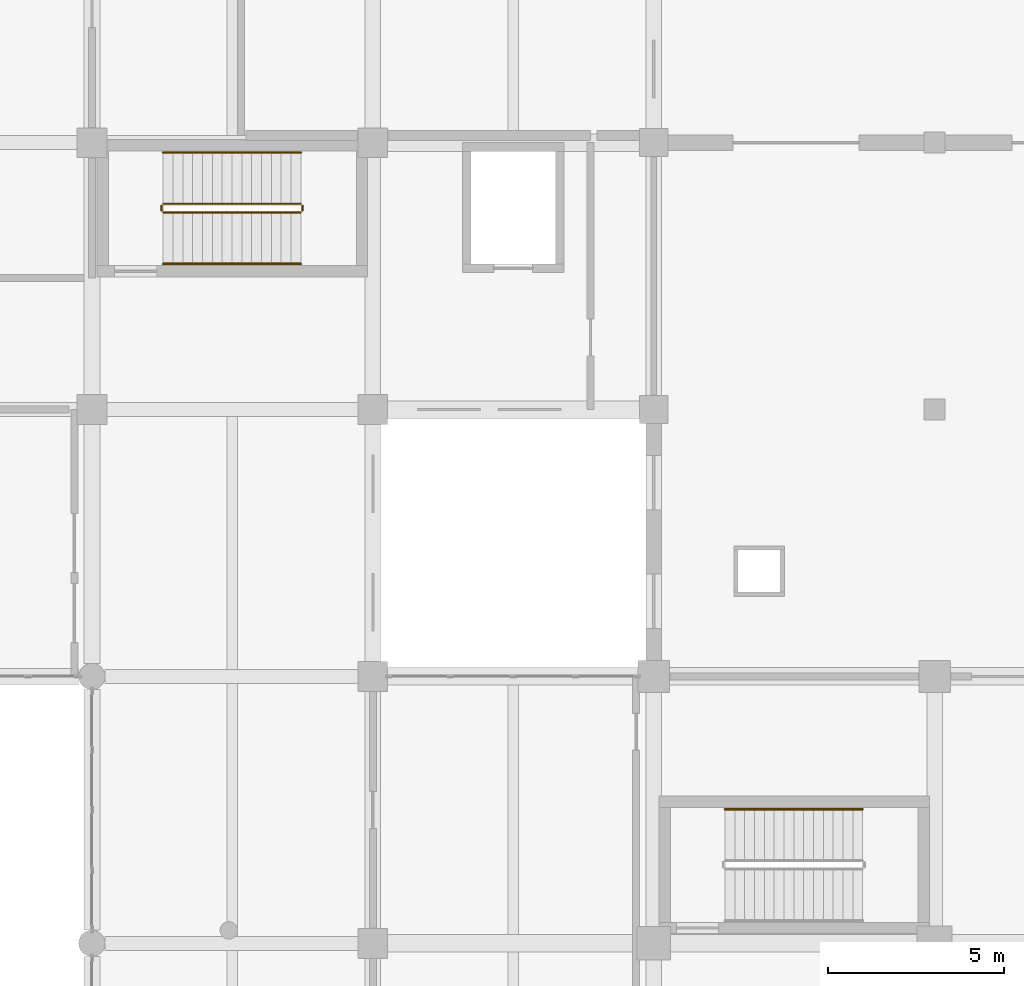
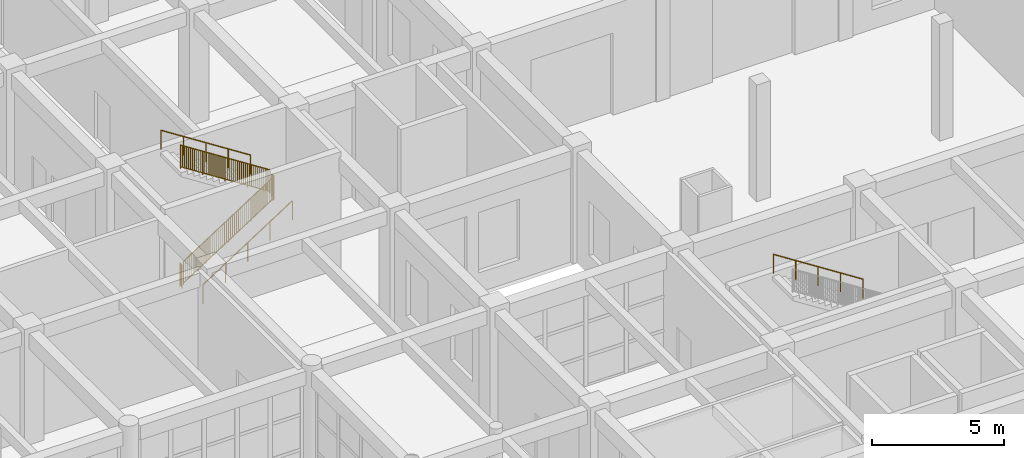
# One storey, part 94 of 95: 7 railings.
"""IFC4 building model written with IfcOpenShell, lengths in metres."""

from ifc_helpers import new_model, si_unit, direction, frame, origin, origin_2d, place, context, subcontext, project, spatial, rectangle, circle, extrude, material, type_object, element, save


model = new_model("IFC4")

# Units and contexts
model_context = context("Model", 3, precision=1e-05, world=origin(), true_north=direction((0.0, 1.0)))
body_context = subcontext(model_context, "Body", "Model", "MODEL_VIEW")
ifc_project = project(units=[si_unit("LENGTHUNIT", "METRE"), si_unit("AREAUNIT", "SQUARE_METRE"), si_unit("VOLUMEUNIT", "CUBIC_METRE"), si_unit("PLANEANGLEUNIT", "RADIAN"), si_unit("MASSUNIT", "GRAM", prefix="KILO")], contexts=[model_context])

# Site, building, storey
site_placement = place(None, origin())
site = spatial("IfcSite", under=ifc_project, at=site_placement, CompositionType="ELEMENT")
building_placement = place(site_placement, origin())
building = spatial("IfcBuilding", under=site, at=building_placement, Name="Zantavel Square City Hall", CompositionType="ELEMENT")
storey_placement = place(building_placement, origin())
storey = spatial("IfcBuildingStorey", under=building, at=storey_placement, Name="L01", CompositionType="ELEMENT", Elevation=0.0)

# Railings
ifc_material_1 = material(Name="Steel ASTM A500 Grade B", Category="steel")
railing_type_1 = type_object("IfcRailingType", Name="Atrium & Gallery Steel Guard Railing 1100mm", PredefinedType="GUARDRAIL", material=ifc_material_1)
railing_1_placement = place(storey_placement, frame((50.030029296875, 81.610107421875, 0.179931640625)))
element("IfcRailing", 1, at=railing_1_placement, inside=storey, type_object=railing_type_1, Name="L01 ST1 stair guard 1", PredefinedType="GUARDRAIL", context=body_context, shape_type="SweptSolid", body=[
    extrude(circle(Radius=0.02392578125, at=origin_2d()), frame((0.0, 0.0, 1.076171875), z_axis=(0.841171666519, 0.0, 0.540768182723), x_axis=(0.0, 1.0, 0.0)), (0.0, 0.0, 1.0), 4.66015625),
    extrude(rectangle(XDim=0.031982421875, YDim=0.031982421875, at=origin_2d()), frame((0.0, 0.0, 0.080078125), z_axis=(0.841171666519, 0.0, 0.540768182723), x_axis=(0.0, 1.0, 0.0)), (0.0, 0.0, 1.0), 4.66015625),
    extrude(rectangle(XDim=0.02197265625, YDim=0.02197265625, at=origin_2d()), frame((0.089111328125, 0.0, 0.13720703125)), (0.0, 0.0, 1.0), 0.971923828125),
    extrude(rectangle(XDim=0.02197265625, YDim=0.02197265625, at=origin_2d()), frame((0.17822265625, 0.0, 0.194580078125)), (0.0, 0.0, 1.0), 0.971923828125),
    extrude(rectangle(XDim=0.02197265625, YDim=0.02197265625, at=origin_2d()), frame((0.267333984375, 0.0, 0.251708984375)), (0.0, 0.0, 1.0), 0.971923828125),
    extrude(rectangle(XDim=0.02197265625, YDim=0.02197265625, at=origin_2d()), frame((0.3564453125, 0.0, 0.30908203125)), (0.0, 0.0, 1.0), 0.971923828125),
    extrude(rectangle(XDim=0.02197265625, YDim=0.02197265625, at=origin_2d()), frame((0.445556640625, 0.0, 0.366455078125)), (0.0, 0.0, 1.0), 0.971923828125),
    extrude(rectangle(XDim=0.02197265625, YDim=0.02197265625, at=origin_2d()), frame((0.534423828125, 0.0, 0.423583984375)), (0.0, 0.0, 1.0), 0.971923828125),
    extrude(rectangle(XDim=0.02197265625, YDim=0.02197265625, at=origin_2d()), frame((0.62353515625, 0.0, 0.48095703125)), (0.0, 0.0, 1.0), 0.971923828125),
    extrude(rectangle(XDim=0.02197265625, YDim=0.02197265625, at=origin_2d()), frame((0.712646484375, 0.0, 0.5380859375)), (0.0, 0.0, 1.0), 0.971923828125),
    extrude(rectangle(XDim=0.02197265625, YDim=0.02197265625, at=origin_2d()), frame((0.8017578125, 0.0, 0.595458984375)), (0.0, 0.0, 1.0), 0.971923828125),
    extrude(rectangle(XDim=0.02197265625, YDim=0.02197265625, at=origin_2d()), frame((0.890869140625, 0.0, 0.65283203125)), (0.0, 0.0, 1.0), 0.971923828125),
    extrude(rectangle(XDim=0.02197265625, YDim=0.02197265625, at=origin_2d()), frame((1.069091796875, 0.0, 0.767333984375)), (0.0, 0.0, 1.0), 0.971923828125),
    extrude(rectangle(XDim=0.02197265625, YDim=0.02197265625, at=origin_2d()), frame((1.158203125, 0.0, 0.824462890625)), (0.0, 0.0, 1.0), 0.971923828125),
    extrude(rectangle(XDim=0.02197265625, YDim=0.02197265625, at=origin_2d()), frame((1.247314453125, 0.0, 0.8818359375)), (0.0, 0.0, 1.0), 0.971923828125),
    extrude(rectangle(XDim=0.02197265625, YDim=0.02197265625, at=origin_2d()), frame((1.33642578125, 0.0, 0.939208984375)), (0.0, 0.0, 1.0), 0.971923828125),
    extrude(rectangle(XDim=0.02197265625, YDim=0.02197265625, at=origin_2d()), frame((1.425537109375, 0.0, 0.996337890625)), (0.0, 0.0, 1.0), 0.971923828125),
    extrude(rectangle(XDim=0.02197265625, YDim=0.02197265625, at=origin_2d()), frame((1.514404296875, 0.0, 1.0537109375)), (0.0, 0.0, 1.0), 0.971923828125),
    extrude(rectangle(XDim=0.02197265625, YDim=0.02197265625, at=origin_2d()), frame((1.603515625, 0.0, 1.11083984375)), (0.0, 0.0, 1.0), 0.971923828125),
    extrude(rectangle(XDim=0.02197265625, YDim=0.02197265625, at=origin_2d()), frame((1.692626953125, 0.0, 1.168212890625)), (0.0, 0.0, 1.0), 0.971923828125),
    extrude(rectangle(XDim=0.02197265625, YDim=0.02197265625, at=origin_2d()), frame((1.78173828125, 0.0, 1.225341796875)), (0.0, 0.0, 1.0), 0.971923828125),
    extrude(rectangle(XDim=0.02197265625, YDim=0.02197265625, at=origin_2d()), frame((1.870849609375, 0.0, 1.28271484375)), (0.0, 0.0, 1.0), 0.971923828125),
    extrude(rectangle(XDim=0.02197265625, YDim=0.02197265625, at=origin_2d()), frame((2.049072265625, 0.0, 1.397216796875)), (0.0, 0.0, 1.0), 0.971923828125),
    extrude(rectangle(XDim=0.02197265625, YDim=0.02197265625, at=origin_2d()), frame((2.13818359375, 0.0, 1.45458984375)), (0.0, 0.0, 1.0), 0.971923828125),
    extrude(rectangle(XDim=0.02197265625, YDim=0.02197265625, at=origin_2d()), frame((2.227294921875, 0.0, 1.51171875)), (0.0, 0.0, 1.0), 0.971923828125),
    extrude(rectangle(XDim=0.02197265625, YDim=0.02197265625, at=origin_2d()), frame((2.31640625, 0.0, 1.569091796875)), (0.0, 0.0, 1.0), 0.971923828125),
    extrude(rectangle(XDim=0.02197265625, YDim=0.02197265625, at=origin_2d()), frame((2.405517578125, 0.0, 1.62646484375)), (0.0, 0.0, 1.0), 0.971923828125),
    extrude(rectangle(XDim=0.02197265625, YDim=0.02197265625, at=origin_2d()), frame((2.494384765625, 0.0, 1.68359375)), (0.0, 0.0, 1.0), 0.971923828125),
    extrude(rectangle(XDim=0.02197265625, YDim=0.02197265625, at=origin_2d()), frame((2.58349609375, 0.0, 1.740966796875)), (0.0, 0.0, 1.0), 0.971923828125),
    extrude(rectangle(XDim=0.02197265625, YDim=0.02197265625, at=origin_2d()), frame((2.672607421875, 0.0, 1.798095703125)), (0.0, 0.0, 1.0), 0.971923828125),
    extrude(rectangle(XDim=0.02197265625, YDim=0.02197265625, at=origin_2d()), frame((2.76171875, 0.0, 1.85546875)), (0.0, 0.0, 1.0), 0.971923828125),
    extrude(rectangle(XDim=0.02197265625, YDim=0.02197265625, at=origin_2d()), frame((2.850830078125, 0.0, 1.912841796875)), (0.0, 0.0, 1.0), 0.971923828125),
    extrude(rectangle(XDim=0.02197265625, YDim=0.02197265625, at=origin_2d()), frame((3.029052734375, 0.0, 2.02734375)), (0.0, 0.0, 1.0), 0.971923828125),
    extrude(rectangle(XDim=0.02197265625, YDim=0.02197265625, at=origin_2d()), frame((3.1181640625, 0.0, 2.08447265625)), (0.0, 0.0, 1.0), 0.971923828125),
    extrude(rectangle(XDim=0.02197265625, YDim=0.02197265625, at=origin_2d()), frame((3.207275390625, 0.0, 2.141845703125)), (0.0, 0.0, 1.0), 0.971923828125),
    extrude(rectangle(XDim=0.02197265625, YDim=0.02197265625, at=origin_2d()), frame((3.29638671875, 0.0, 2.19921875)), (0.0, 0.0, 1.0), 0.971923828125),
    extrude(rectangle(XDim=0.02197265625, YDim=0.02197265625, at=origin_2d()), frame((3.385498046875, 0.0, 2.25634765625)), (0.0, 0.0, 1.0), 0.971923828125),
    extrude(rectangle(XDim=0.02197265625, YDim=0.02197265625, at=origin_2d()), frame((3.474365234375, 0.0, 2.313720703125)), (0.0, 0.0, 1.0), 0.971923828125),
    extrude(rectangle(XDim=0.02197265625, YDim=0.02197265625, at=origin_2d()), frame((3.5634765625, 0.0, 2.370849609375)), (0.0, 0.0, 1.0), 0.971923828125),
    extrude(rectangle(XDim=0.02197265625, YDim=0.02197265625, at=origin_2d()), frame((3.652587890625, 0.0, 2.42822265625)), (0.0, 0.0, 1.0), 0.971923828125),
    extrude(rectangle(XDim=0.02197265625, YDim=0.02197265625, at=origin_2d()), frame((3.74169921875, 0.0, 2.4853515625)), (0.0, 0.0, 1.0), 0.971923828125),
    extrude(rectangle(XDim=0.02197265625, YDim=0.02197265625, at=origin_2d()), frame((3.830810546875, 0.0, 2.542724609375)), (0.0, 0.0, 1.0), 0.971923828125),
    extrude(circle(Radius=0.02099609375, at=origin_2d()), origin(), (0.0, 0.0, 1.0), 1.052001953125),
    extrude(circle(Radius=0.02099609375, at=origin_2d()), frame((0.97998046875, 0.0, 0.6298828125)), (0.0, 0.0, 1.0), 1.052001953125),
    extrude(circle(Radius=0.02099609375, at=origin_2d()), frame((1.9599609375, 0.0, 1.260009765625)), (0.0, 0.0, 1.0), 1.052001953125),
    extrude(circle(Radius=0.02099609375, at=origin_2d()), frame((2.93994140625, 0.0, 1.89013671875)), (0.0, 0.0, 1.0), 1.052001953125),
    extrude(circle(Radius=0.02099609375, at=origin_2d()), frame((3.919921875, 0.0, 2.52001953125)), (0.0, 0.0, 1.0), 1.052001953125),
])
railing_2_placement = place(storey_placement, frame((54.0, 81.659912109375, 2.699951171875)))
element("IfcRailing", 2, at=railing_2_placement, inside=storey, type_object=railing_type_1, Name="L01 ST1 stair guard 2", PredefinedType="GUARDRAIL", context=body_context, shape_type="SweptSolid", body=[
    extrude(circle(Radius=0.02392578125, at=origin_2d()), frame((0.0, 0.0, 1.076171875), z_axis=(0.0, 1.0, 0.0), x_axis=(-1.0, 0.0, 0.0)), (0.0, 0.0, 1.0), 0.150146484375),
    extrude(rectangle(XDim=0.031982421875, YDim=0.031982421875, at=origin_2d()), frame((0.0, 0.0, 0.080078125), z_axis=(0.0, 1.0, 0.0), x_axis=(-1.0, 0.0, 0.0)), (0.0, 0.0, 1.0), 0.150146484375),
    extrude(rectangle(XDim=0.02197265625, YDim=0.02197265625, at=origin_2d()), frame((0.0, 0.0751953125, 0.080078125)), (0.0, 0.0, 1.0), 0.971923828125),
    extrude(circle(Radius=0.02099609375, at=origin_2d()), origin(), (0.0, 0.0, 1.0), 1.052001953125),
    extrude(circle(Radius=0.02099609375, at=origin_2d()), frame((0.0, 0.150146484375, 0.0)), (0.0, 0.0, 1.0), 1.052001953125),
])
railing_3_placement = place(storey_placement, frame((53.949951171875, 81.860107421875, 2.8798828125)))
element("IfcRailing", 3, at=railing_3_placement, inside=storey, type_object=railing_type_1, Name="L01 ST1 stair guard 3", PredefinedType="GUARDRAIL", context=body_context, shape_type="SweptSolid", body=[
    extrude(circle(Radius=0.02392578125, at=origin_2d()), frame((0.0, 0.0, 1.076171875), z_axis=(-0.841171666519, 0.0, 0.540768182723), x_axis=(0.0, -1.0, 0.0)), (0.0, 0.0, 1.0), 4.66015625),
    extrude(rectangle(XDim=0.031982421875, YDim=0.031982421875, at=origin_2d()), frame((0.0, 0.0, 0.080078125), z_axis=(-0.841171666519, 0.0, 0.540768182723), x_axis=(0.0, -1.0, 0.0)), (0.0, 0.0, 1.0), 4.66015625),
    extrude(rectangle(XDim=0.02197265625, YDim=0.02197265625, at=origin_2d()), frame((-0.089111328125, 0.0, 0.13720703125)), (0.0, 0.0, 1.0), 0.971923828125),
    extrude(rectangle(XDim=0.02197265625, YDim=0.02197265625, at=origin_2d()), frame((-0.17822265625, 0.0, 0.194580078125)), (0.0, 0.0, 1.0), 0.971923828125),
    extrude(rectangle(XDim=0.02197265625, YDim=0.02197265625, at=origin_2d()), frame((-0.267333984375, 0.0, 0.251708984375)), (0.0, 0.0, 1.0), 0.971923828125),
    extrude(rectangle(XDim=0.02197265625, YDim=0.02197265625, at=origin_2d()), frame((-0.3564453125, 0.0, 0.30908203125)), (0.0, 0.0, 1.0), 0.971923828125),
    extrude(rectangle(XDim=0.02197265625, YDim=0.02197265625, at=origin_2d()), frame((-0.445556640625, 0.0, 0.366455078125)), (0.0, 0.0, 1.0), 0.971923828125),
    extrude(rectangle(XDim=0.02197265625, YDim=0.02197265625, at=origin_2d()), frame((-0.534423828125, 0.0, 0.423583984375)), (0.0, 0.0, 1.0), 0.971923828125),
    extrude(rectangle(XDim=0.02197265625, YDim=0.02197265625, at=origin_2d()), frame((-0.62353515625, 0.0, 0.48095703125)), (0.0, 0.0, 1.0), 0.971923828125),
    extrude(rectangle(XDim=0.02197265625, YDim=0.02197265625, at=origin_2d()), frame((-0.712646484375, 0.0, 0.5380859375)), (0.0, 0.0, 1.0), 0.971923828125),
    extrude(rectangle(XDim=0.02197265625, YDim=0.02197265625, at=origin_2d()), frame((-0.8017578125, 0.0, 0.595458984375)), (0.0, 0.0, 1.0), 0.971923828125),
    extrude(rectangle(XDim=0.02197265625, YDim=0.02197265625, at=origin_2d()), frame((-0.890869140625, 0.0, 0.65283203125)), (0.0, 0.0, 1.0), 0.971923828125),
    extrude(rectangle(XDim=0.02197265625, YDim=0.02197265625, at=origin_2d()), frame((-1.069091796875, 0.0, 0.767333984375)), (0.0, 0.0, 1.0), 0.971923828125),
    extrude(rectangle(XDim=0.02197265625, YDim=0.02197265625, at=origin_2d()), frame((-1.158203125, 0.0, 0.824462890625)), (0.0, 0.0, 1.0), 0.971923828125),
    extrude(rectangle(XDim=0.02197265625, YDim=0.02197265625, at=origin_2d()), frame((-1.247314453125, 0.0, 0.8818359375)), (0.0, 0.0, 1.0), 0.971923828125),
    extrude(rectangle(XDim=0.02197265625, YDim=0.02197265625, at=origin_2d()), frame((-1.33642578125, 0.0, 0.939208984375)), (0.0, 0.0, 1.0), 0.971923828125),
    extrude(rectangle(XDim=0.02197265625, YDim=0.02197265625, at=origin_2d()), frame((-1.425537109375, 0.0, 0.996337890625)), (0.0, 0.0, 1.0), 0.971923828125),
    extrude(rectangle(XDim=0.02197265625, YDim=0.02197265625, at=origin_2d()), frame((-1.514404296875, 0.0, 1.0537109375)), (0.0, 0.0, 1.0), 0.971923828125),
    extrude(rectangle(XDim=0.02197265625, YDim=0.02197265625, at=origin_2d()), frame((-1.603515625, 0.0, 1.11083984375)), (0.0, 0.0, 1.0), 0.971923828125),
    extrude(rectangle(XDim=0.02197265625, YDim=0.02197265625, at=origin_2d()), frame((-1.692626953125, 0.0, 1.168212890625)), (0.0, 0.0, 1.0), 0.971923828125),
    extrude(rectangle(XDim=0.02197265625, YDim=0.02197265625, at=origin_2d()), frame((-1.78173828125, 0.0, 1.225341796875)), (0.0, 0.0, 1.0), 0.971923828125),
    extrude(rectangle(XDim=0.02197265625, YDim=0.02197265625, at=origin_2d()), frame((-1.870849609375, 0.0, 1.28271484375)), (0.0, 0.0, 1.0), 0.971923828125),
    extrude(rectangle(XDim=0.02197265625, YDim=0.02197265625, at=origin_2d()), frame((-2.049072265625, 0.0, 1.397216796875)), (0.0, 0.0, 1.0), 0.971923828125),
    extrude(rectangle(XDim=0.02197265625, YDim=0.02197265625, at=origin_2d()), frame((-2.13818359375, 0.0, 1.45458984375)), (0.0, 0.0, 1.0), 0.971923828125),
    extrude(rectangle(XDim=0.02197265625, YDim=0.02197265625, at=origin_2d()), frame((-2.227294921875, 0.0, 1.51171875)), (0.0, 0.0, 1.0), 0.971923828125),
    extrude(rectangle(XDim=0.02197265625, YDim=0.02197265625, at=origin_2d()), frame((-2.31640625, 0.0, 1.569091796875)), (0.0, 0.0, 1.0), 0.971923828125),
    extrude(rectangle(XDim=0.02197265625, YDim=0.02197265625, at=origin_2d()), frame((-2.405517578125, 0.0, 1.62646484375)), (0.0, 0.0, 1.0), 0.971923828125),
    extrude(rectangle(XDim=0.02197265625, YDim=0.02197265625, at=origin_2d()), frame((-2.494384765625, 0.0, 1.68359375)), (0.0, 0.0, 1.0), 0.971923828125),
    extrude(rectangle(XDim=0.02197265625, YDim=0.02197265625, at=origin_2d()), frame((-2.58349609375, 0.0, 1.740966796875)), (0.0, 0.0, 1.0), 0.971923828125),
    extrude(rectangle(XDim=0.02197265625, YDim=0.02197265625, at=origin_2d()), frame((-2.672607421875, 0.0, 1.798095703125)), (0.0, 0.0, 1.0), 0.971923828125),
    extrude(rectangle(XDim=0.02197265625, YDim=0.02197265625, at=origin_2d()), frame((-2.76171875, 0.0, 1.85546875)), (0.0, 0.0, 1.0), 0.971923828125),
    extrude(rectangle(XDim=0.02197265625, YDim=0.02197265625, at=origin_2d()), frame((-2.850830078125, 0.0, 1.912841796875)), (0.0, 0.0, 1.0), 0.971923828125),
    extrude(rectangle(XDim=0.02197265625, YDim=0.02197265625, at=origin_2d()), frame((-3.029052734375, 0.0, 2.02734375)), (0.0, 0.0, 1.0), 0.971923828125),
    extrude(rectangle(XDim=0.02197265625, YDim=0.02197265625, at=origin_2d()), frame((-3.1181640625, 0.0, 2.08447265625)), (0.0, 0.0, 1.0), 0.971923828125),
    extrude(rectangle(XDim=0.02197265625, YDim=0.02197265625, at=origin_2d()), frame((-3.207275390625, 0.0, 2.141845703125)), (0.0, 0.0, 1.0), 0.971923828125),
    extrude(rectangle(XDim=0.02197265625, YDim=0.02197265625, at=origin_2d()), frame((-3.29638671875, 0.0, 2.19921875)), (0.0, 0.0, 1.0), 0.971923828125),
    extrude(rectangle(XDim=0.02197265625, YDim=0.02197265625, at=origin_2d()), frame((-3.385498046875, 0.0, 2.25634765625)), (0.0, 0.0, 1.0), 0.971923828125),
    extrude(rectangle(XDim=0.02197265625, YDim=0.02197265625, at=origin_2d()), frame((-3.474365234375, 0.0, 2.313720703125)), (0.0, 0.0, 1.0), 0.971923828125),
    extrude(rectangle(XDim=0.02197265625, YDim=0.02197265625, at=origin_2d()), frame((-3.5634765625, 0.0, 2.370849609375)), (0.0, 0.0, 1.0), 0.971923828125),
    extrude(rectangle(XDim=0.02197265625, YDim=0.02197265625, at=origin_2d()), frame((-3.652587890625, 0.0, 2.42822265625)), (0.0, 0.0, 1.0), 0.971923828125),
    extrude(rectangle(XDim=0.02197265625, YDim=0.02197265625, at=origin_2d()), frame((-3.74169921875, 0.0, 2.4853515625)), (0.0, 0.0, 1.0), 0.971923828125),
    extrude(rectangle(XDim=0.02197265625, YDim=0.02197265625, at=origin_2d()), frame((-3.830810546875, 0.0, 2.542724609375)), (0.0, 0.0, 1.0), 0.971923828125),
    extrude(circle(Radius=0.02099609375, at=origin_2d()), origin(), (0.0, 0.0, 1.0), 1.052001953125),
    extrude(circle(Radius=0.02099609375, at=origin_2d()), frame((-0.97998046875, 0.0, 0.6298828125)), (0.0, 0.0, 1.0), 1.052001953125),
    extrude(circle(Radius=0.02099609375, at=origin_2d()), frame((-1.9599609375, 0.0, 1.260009765625)), (0.0, 0.0, 1.0), 1.052001953125),
    extrude(circle(Radius=0.02099609375, at=origin_2d()), frame((-2.93994140625, 0.0, 1.89013671875)), (0.0, 0.0, 1.0), 1.052001953125),
    extrude(circle(Radius=0.02099609375, at=origin_2d()), frame((-3.919921875, 0.0, 2.52001953125)), (0.0, 0.0, 1.0), 1.052001953125),
])
railing_4_placement = place(storey_placement, frame((49.97998046875, 81.659912109375, 0.0)))
element("IfcRailing", 4, at=railing_4_placement, inside=storey, type_object=railing_type_1, Name="L01 ST1 stair guard 4", PredefinedType="GUARDRAIL", context=body_context, shape_type="SweptSolid", body=[
    extrude(circle(Radius=0.02392578125, at=origin_2d()), frame((0.0, 0.0, 1.076171875), z_axis=(0.0, 1.0, 0.0), x_axis=(-1.0, 0.0, 0.0)), (0.0, 0.0, 1.0), 0.150146484375),
    extrude(rectangle(XDim=0.031982421875, YDim=0.031982421875, at=origin_2d()), frame((0.0, 0.0, 0.080078125), z_axis=(0.0, 1.0, 0.0), x_axis=(-1.0, 0.0, 0.0)), (0.0, 0.0, 1.0), 0.150146484375),
    extrude(rectangle(XDim=0.02197265625, YDim=0.02197265625, at=origin_2d()), frame((0.0, 0.0751953125, 0.080078125)), (0.0, 0.0, 1.0), 0.971923828125),
    extrude(circle(Radius=0.02099609375, at=origin_2d()), origin(), (0.0, 0.0, 1.0), 1.052001953125),
    extrude(circle(Radius=0.02099609375, at=origin_2d()), frame((0.0, 0.150146484375, 0.0)), (0.0, 0.0, 1.0), 1.052001953125),
])
ifc_material_2 = material(Name="Stainless steel 316", Category="steel")
railing_type_2 = type_object("IfcRailingType", Name="Stair Stainless Steel Handrail 900mm", PredefinedType="HANDRAIL", material=ifc_material_2)
railing_5_placement = place(storey_placement, frame((50.030029296875, 80.14990234375, 0.179931640625)))
element("IfcRailing", 5, at=railing_5_placement, inside=storey, type_object=railing_type_2, Name="L01 ST1 stair handrail 1", PredefinedType="HANDRAIL", context=body_context, shape_type="SweptSolid", body=[
    extrude(circle(Radius=0.02392578125, at=origin_2d()), frame((0.0, 0.0, 0.8759765625), z_axis=(0.841171666519, 0.0, 0.540768182723), x_axis=(0.0, 1.0, 0.0)), (0.0, 0.0, 1.0), 4.66015625),
    extrude(circle(Radius=0.02099609375, at=origin_2d()), origin(), (0.0, 0.0, 1.0), 0.851806640625),
    extrude(circle(Radius=0.02099609375, at=origin_2d()), frame((0.97998046875, 0.0, 0.6298828125)), (0.0, 0.0, 1.0), 0.851806640625),
    extrude(circle(Radius=0.02099609375, at=origin_2d()), frame((1.9599609375, 0.0, 1.260009765625)), (0.0, 0.0, 1.0), 0.851806640625),
    extrude(circle(Radius=0.02099609375, at=origin_2d()), frame((2.93994140625, 0.0, 1.89013671875)), (0.0, 0.0, 1.0), 0.851806640625),
    extrude(circle(Radius=0.02099609375, at=origin_2d()), frame((3.919921875, 0.0, 2.52001953125)), (0.0, 0.0, 1.0), 0.851806640625),
])
for number, where, name in (
    (6, (53.949951171875, 83.320068359375, 2.8798828125), "L01 ST1 stair handrail 2"),
    (7, (69.949951171875, 64.6201171875, 2.8798828125), "L01 ST5 stair handrail 2"),
):
    element("IfcRailing", number, at=place(storey_placement, frame(where)), inside=storey, type_object=railing_type_2, Name=name, PredefinedType="HANDRAIL", context=body_context, shape_type="SweptSolid", body=[
        extrude(circle(Radius=0.02392578125, at=origin_2d()), frame((0.0, 0.0, 0.8759765625), z_axis=(-0.841171666519, 0.0, 0.540768182723), x_axis=(0.0, -1.0, 0.0)), (0.0, 0.0, 1.0), 4.66015625),
        extrude(circle(Radius=0.02099609375, at=origin_2d()), origin(), (0.0, 0.0, 1.0), 0.851806640625),
        extrude(circle(Radius=0.02099609375, at=origin_2d()), frame((-0.97998046875, 0.0, 0.6298828125)), (0.0, 0.0, 1.0), 0.851806640625),
        extrude(circle(Radius=0.02099609375, at=origin_2d()), frame((-1.9599609375, 0.0, 1.260009765625)), (0.0, 0.0, 1.0), 0.851806640625),
        extrude(circle(Radius=0.02099609375, at=origin_2d()), frame((-2.93994140625, 0.0, 1.89013671875)), (0.0, 0.0, 1.0), 0.851806640625),
        extrude(circle(Radius=0.02099609375, at=origin_2d()), frame((-3.919921875, 0.0, 2.52001953125)), (0.0, 0.0, 1.0), 0.851806640625),
    ])

save(model, "model.ifc")
